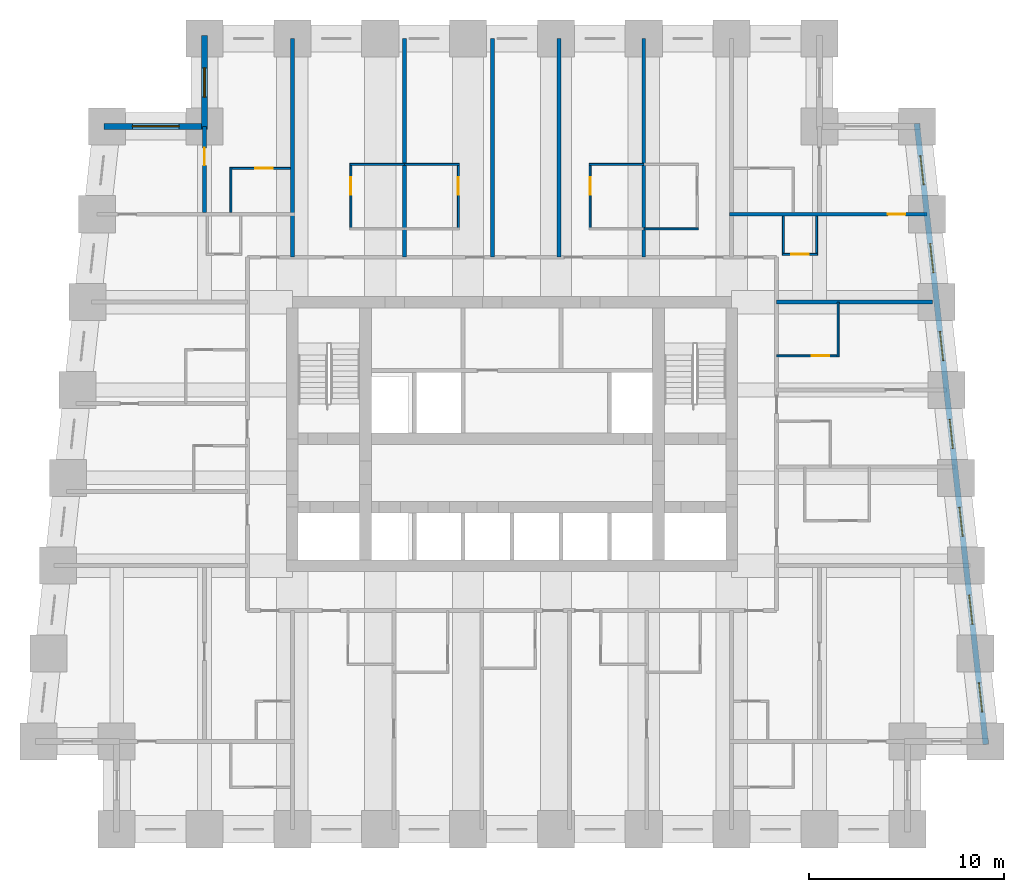
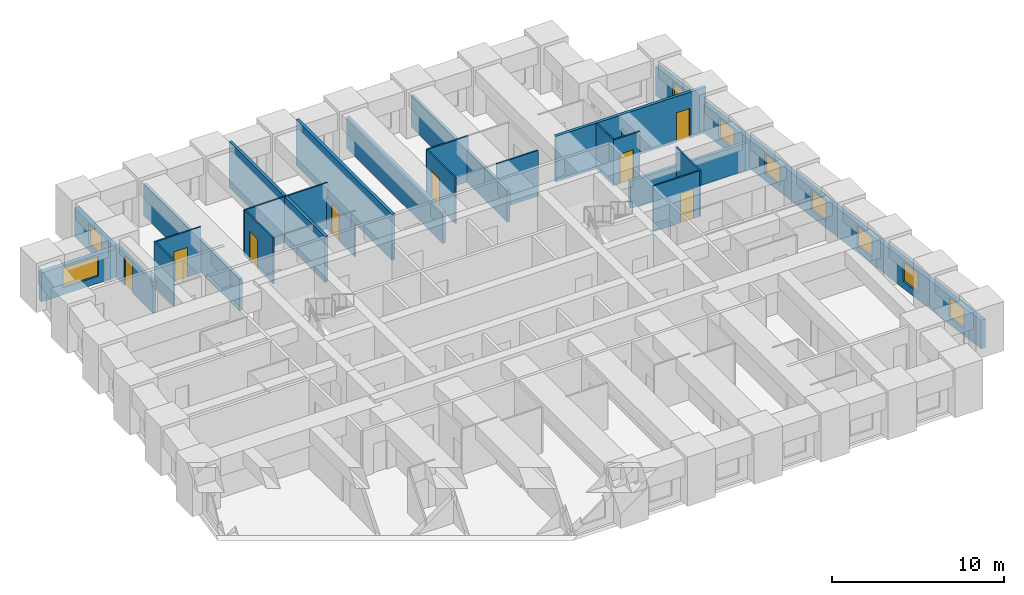
# One storey, part 6 of 8: 25 walls, 9 windows, 8 doors, 17 openings.
"""IFC4 building model written with IfcOpenShell, lengths in metres."""

import ifcopenshell
import ifcopenshell.guid

model = None  # the IFC model being written
_history = None  # IfcOwnerHistory: only IFC2X3 demands one
_inside = {}  # id of a spatial element -> (the spatial element, [elements in it])
_under = {}  # id of a project, library or spatial element -> (it, [spatial elements below it])
_declared = {}  # id of a project -> (the project, [libraries it declares])
_typed = {}  # id of a type object -> (the type object, [elements of that type])
_made_of = {}  # id of a material, layer set ... -> (it, [elements and type objects made of it])


def new_model(schema):
    """Start an empty IFC model of exactly this schema.

    Asked for "IFC4X3", IfcOpenShell would pick the latest addendum, in which some entities
    have other attributes; the version numbers below select the first issue.
    IFC2X3 requires an IfcOwnerHistory on every rooted entity: one is made here for all.
    """
    global model, _history
    if schema == "IFC4X3":
        model = ifcopenshell.file(schema_version=(4, 3, 0, 0))
    else:
        model = ifcopenshell.file(schema=schema)
    _inside.clear()
    _under.clear()
    _declared.clear()
    _typed.clear()
    _made_of.clear()
    _history = None
    if model.schema == "IFC2X3":
        org = make("IfcOrganization", Name="unknown")
        user = make(
            "IfcPersonAndOrganization",
            ThePerson=make("IfcPerson", FamilyName="unknown"),
            TheOrganization=org,
        )
        app = make(
            "IfcApplication",
            ApplicationDeveloper=org,
            Version="unknown",
            ApplicationFullName="unknown",
            ApplicationIdentifier="unknown",
        )
        _history = make(
            "IfcOwnerHistory",
            OwningUser=user,
            OwningApplication=app,
            ChangeAction="ADDED",
            CreationDate=0,
        )
    return model


def make(cls, **values):
    """One entity of the class cls with the attributes given. An attribute that is None is left unset."""
    return model.create_entity(
        cls, **{name: value for name, value in values.items() if value is not None}
    )


def rooted(cls, **values):
    """An entity with a GlobalId (a new one), such as an element, a storey or a relation."""
    return make(cls, GlobalId=ifcopenshell.guid.new(), OwnerHistory=_history, **values)


def si_unit(unit_type, name, prefix=None):
    """IfcSIUnit, for example si_unit("LENGTHUNIT", "METRE", prefix="MILLI")."""
    return make("IfcSIUnit", UnitType=unit_type, Prefix=prefix, Name=name)


def assignment(units):
    """IfcUnitAssignment: the units of a project."""
    return None if units is None else make("IfcUnitAssignment", Units=units)


def point(xyz):
    """IfcCartesianPoint."""
    return None if xyz is None else make("IfcCartesianPoint", Coordinates=xyz)


def direction(xyz):
    """IfcDirection."""
    return None if xyz is None else make("IfcDirection", DirectionRatios=xyz)


def frame(location, z_axis=None, x_axis=None):
    """IfcAxis2Placement3D, a coordinate frame: its origin and axes. An axis left out is left unset."""
    return make(
        "IfcAxis2Placement3D",
        Location=point(location),
        Axis=direction(z_axis),
        RefDirection=direction(x_axis),
    )


def frame_2d(location, x_axis=None):
    """IfcAxis2Placement2D, a coordinate frame in the plane: its origin and x axis."""
    return make(
        "IfcAxis2Placement2D", Location=point(location), RefDirection=direction(x_axis)
    )


def origin():
    """The frame at (0, 0, 0) with its axes left unset."""
    return frame((0.0, 0.0, 0.0))


def place(relative_to, where):
    """IfcLocalPlacement: puts the frame where relative to a parent placement (None: the world)."""
    return make(
        "IfcLocalPlacement", PlacementRelTo=relative_to, RelativePlacement=where
    )


def context(
    kind, dimensions, precision=None, world=None, true_north=None, identifier=None
):
    """IfcGeometricRepresentationContext, for example the 3D "Model" context."""
    return make(
        "IfcGeometricRepresentationContext",
        ContextIdentifier=identifier,
        ContextType=kind,
        CoordinateSpaceDimension=dimensions,
        Precision=precision,
        WorldCoordinateSystem=world,
        TrueNorth=true_north,
    )


def subcontext(parent, identifier, kind, view, scale=None):
    """IfcGeometricRepresentationSubContext, for example "Body" below "Model"."""
    return make(
        "IfcGeometricRepresentationSubContext",
        ContextIdentifier=identifier,
        ContextType=kind,
        ParentContext=parent,
        TargetScale=scale,
        TargetView=view,
    )


def project(units=None, contexts=None):
    """IfcProject with its units and contexts."""
    return rooted(
        "IfcProject",
        Name="project",
        RepresentationContexts=contexts,
        UnitsInContext=assignment(units),
    )


def spatial(cls, under=None, at=None, **own):
    """A site, building, storey or space (cls), placed at a placement, below another one or the project."""
    s = rooted(cls, ObjectPlacement=at, **own)
    if under is not None:
        _under.setdefault(under.id(), (under, []))[1].append(s)
    return s


def profile(cls, at=None, kind="AREA", **sizes):
    """A parametric profile (cls). Its sizes go by their IFC names, for example OverallWidth=200.0."""
    return make(cls, ProfileType=kind, Position=at, **sizes)


def rectangle(**sizes):
    """IfcRectangleProfileDef."""
    return profile("IfcRectangleProfileDef", **sizes)


def extrude(swept, where, along, depth):
    """IfcExtrudedAreaSolid: the profile swept, set in the frame where, extruded along a direction by depth."""
    return make(
        "IfcExtrudedAreaSolid",
        SweptArea=swept,
        Position=where,
        ExtrudedDirection=direction(along),
        Depth=depth,
    )


def shape(context_of_items, identifier, shape_type, items):
    """IfcShapeRepresentation: the items that make up one representation, for example the "Body"."""
    return make(
        "IfcShapeRepresentation",
        ContextOfItems=context_of_items,
        RepresentationIdentifier=identifier,
        RepresentationType=shape_type,
        Items=items,
    )


def material(Name=None, Category=None):
    """IfcMaterial."""
    return make("IfcMaterial", Name=Name, Category=Category)


def layer(
    of_material, thickness, ventilated=None, Name=None, Category=None, Priority=None
):
    """IfcMaterialLayer: one layer of a wall or slab, of a material (None: an air gap)."""
    return make(
        "IfcMaterialLayer",
        Material=of_material,
        LayerThickness=thickness,
        IsVentilated=ventilated,
        Name=Name,
        Category=Category,
        Priority=Priority,
    )


def layer_set(layers, Name=None):
    """IfcMaterialLayerSet."""
    return make("IfcMaterialLayerSet", MaterialLayers=layers, LayerSetName=Name)


def made_of(thing, what):
    """Note that an element or type object is made of a material, layer set ...; save() writes the relation."""
    if what is not None:
        _made_of.setdefault(what.id(), (what, []))[1].append(thing)
    return thing


def type_object(cls, material=None, **own):
    """A type object (cls), such as IfcWallType, which elements share."""
    return made_of(rooted(cls, **own), material)


def element(
    cls,
    number,
    at=None,
    inside=None,
    cuts=None,
    type_object=None,
    material=None,
    context=None,
    identifier="Body",
    shape_type=None,
    held_by="IfcProductDefinitionShape",
    body=None,
    shapes=None,
    **own,
):
    """One element of the class cls, such as IfcWall. Its Tag is "e" and its number.

    at: its placement. inside: the storey or other place that contains it. cuts: it is an
    opening in that element (IfcRelVoidsElement). A single representation is given by context,
    identifier, shape_type and body (its items); several are given by shapes. held_by: the class
    of the entity that holds the representations. save() writes the other relations.
    """
    e = rooted(cls, Tag="e%d" % number, ObjectPlacement=at, **own)
    if body is not None:
        shapes = [shape(context, identifier, shape_type, body)]
    if shapes is not None:
        e.Representation = make(held_by, Representations=shapes)
    if inside is not None:
        _inside.setdefault(inside.id(), (inside, []))[1].append(e)
    if cuts is not None:
        rooted(
            "IfcRelVoidsElement", RelatingBuildingElement=cuts, RelatedOpeningElement=e
        )
    if type_object is not None:
        _typed.setdefault(type_object.id(), (type_object, []))[1].append(e)
    return made_of(e, material)


def fill(opening, filler):
    """IfcRelFillsElement: the door or window that sits in an opening."""
    return rooted(
        "IfcRelFillsElement",
        RelatingOpeningElement=opening,
        RelatedBuildingElement=filler,
    )


def aggregate(whole, parts):
    """IfcRelAggregates: a whole, such as a stair, and the parts it consists of."""
    return rooted("IfcRelAggregates", RelatingObject=whole, RelatedObjects=parts)


def save(model, path):
    """Write the relations noted so far, then the file.

    IfcRelAggregates (storeys below a building ...), IfcRelContainedInSpatialStructure (elements
    in a storey), IfcRelDefinesByType, IfcRelAssociatesMaterial and IfcRelDeclares: one each for
    every whole, place, type object, material and project.
    """
    for whole, parts in _under.values():
        aggregate(whole, parts)
    for where, things in _inside.values():
        rooted(
            "IfcRelContainedInSpatialStructure",
            RelatedElements=things,
            RelatingStructure=where,
        )
    for kind, things in _typed.values():
        rooted("IfcRelDefinesByType", RelatedObjects=things, RelatingType=kind)
    for what, things in _made_of.values():
        rooted("IfcRelAssociatesMaterial", RelatedObjects=things, RelatingMaterial=what)
    for by, libraries in _declared.values():
        rooted("IfcRelDeclares", RelatingContext=by, RelatedDefinitions=libraries)
    model.write(path)


model = new_model("IFC4")

# Units and contexts
model_context = context("Model", 3, precision=1e-05, world=origin(), true_north=direction((0.0, 1.0)))
body_context = subcontext(model_context, "Body", "Model", "MODEL_VIEW")
ifc_project = project(units=[si_unit("LENGTHUNIT", "METRE"), si_unit("AREAUNIT", "SQUARE_METRE"), si_unit("VOLUMEUNIT", "CUBIC_METRE"), si_unit("PLANEANGLEUNIT", "RADIAN"), si_unit("MASSUNIT", "GRAM", prefix="KILO")], contexts=[model_context])

# Site, building, storey
site_placement = place(None, origin())
site = spatial("IfcSite", under=ifc_project, at=site_placement, CompositionType="ELEMENT")
building_placement = place(site_placement, origin())
building = spatial("IfcBuilding", under=site, at=building_placement, Name="Kilele Tower Hotel", CompositionType="ELEMENT")
storey_placement = place(building_placement, frame((0.0, 0.0, 71.699951171875)))
storey = spatial("IfcBuildingStorey", under=building, at=storey_placement, Name="L17", CompositionType="ELEMENT", Elevation=71.699951171875)

# Wall
ifc_material_1 = material(Name="Moisture-resistant board")
ifc_layer_1 = layer(ifc_material_1, 0.10009765625)
ifc_layer_set_1 = layer_set([ifc_layer_1], Name="Moisture-resistant board")
wall_type_1 = type_object("IfcWallType", Name="Bathroom partition 100", PredefinedType="PLUMBINGWALL", material=ifc_layer_set_1)
wall_1_placement = place(storey_placement, frame((41.449951171875, 24.199951171875, 0.0), z_axis=(0.0, 0.0, 1.0), x_axis=(0.0, 1.0, 0.0)))
element("IfcWall", 1, at=wall_1_placement, inside=storey, type_object=wall_type_1, Name="Bathroom partition 100 L17", PredefinedType="PLUMBINGWALL", context=body_context, shape_type="SweptSolid", body=[
    extrude(rectangle(XDim=2.800048828125, YDim=0.10009765625, at=frame_2d((1.39990234375, 0.0))), origin(), (0.0, 0.0, 1.0), 3.25),
])

# Wall, opening, door
wall_2_placement = place(storey_placement, frame((38.300048828125, 24.25, 0.0), z_axis=(0.0, 0.0, 1.0), x_axis=(1.0, 0.0, 0.0)))
wall_2 = element("IfcWall", 2, at=wall_2_placement, inside=storey, type_object=wall_type_1, Name="Bathroom partition 100 L17", PredefinedType="PLUMBINGWALL", context=body_context, shape_type="SweptSolid", body=[
    extrude(rectangle(XDim=3.199951171875, YDim=0.10009765625, at=frame_2d((1.60009765625, 0.0))), origin(), (0.0, 0.0, 1.0), 3.25),
])
opening_1_placement = place(wall_2_placement, frame((2.699951171875, 0.0, 0.0), z_axis=(0.0, 0.0, 1.0), x_axis=(-1.0, 0.0, 0.0)))
opening_1 = element("IfcOpeningElement", 3, at=opening_1_placement, cuts=wall_2, Name="Opening D2A", PredefinedType="OPENING", context=body_context, shape_type="SweptSolid", body=[
    extrude(rectangle(XDim=0.89990234375, YDim=2.10009765625, at=frame_2d((0.449951171875, 1.050048828125))), frame((0.0, 0.06005859375, 0.0), z_axis=(0.0, -1.0, 0.0), x_axis=(1.0, 0.0, 0.0)), (0.0, 0.0, 1.0), 0.1201171875),
])
ifc_material_2 = material(Name="Timber door leaf in hardwood frame", Category="wood")
door_type_1 = type_object("IfcDoorType", Name="Bathroom door 900", OperationType="SINGLE_SWING_LEFT", PredefinedType="DOOR", material=ifc_material_2)
door_1_placement = place(opening_1_placement, origin())
door_1 = element("IfcDoor", 4, at=door_1_placement, inside=storey, type_object=door_type_1, Name="Bathroom door 1708B", OperationType="SINGLE_SWING_LEFT", OverallHeight=2.10009765625, OverallWidth=0.89990234375, PredefinedType="DOOR", context=body_context, shape_type="SweptSolid", body=[
    extrude(rectangle(XDim=0.89990234375, YDim=2.10009765625, at=frame_2d((0.449951171875, 1.050048828125))), frame((0.0, 0.02490234375, 0.0), z_axis=(0.0, -1.0, 0.0), x_axis=(1.0, 0.0, 0.0)), (0.0, 0.0, 1.0), 0.050048828125),
])
fill(opening_1, door_1)

# Wall
wall_3_placement = place(storey_placement, frame((16.449951171875, 34.050048828125, 0.0), z_axis=(0.0, 0.0, 1.0), x_axis=(1.0, 0.0, 0.0)))
element("IfcWall", 5, at=wall_3_placement, inside=storey, type_object=wall_type_1, Name="Bathroom partition 100 L17", PredefinedType="PLUMBINGWALL", context=body_context, shape_type="SweptSolid", body=[
    extrude(rectangle(XDim=2.800048828125, YDim=0.10009765625, at=frame_2d((1.39990234375, 0.0))), origin(), (0.0, 0.0, 1.0), 3.25),
])

# Wall, opening, door
wall_4_placement = place(storey_placement, frame((16.5, 30.699951171875, 0.0), z_axis=(0.0, 0.0, 1.0), x_axis=(0.0, 1.0, 0.0)))
wall_4 = element("IfcWall", 6, at=wall_4_placement, inside=storey, type_object=wall_type_1, Name="Bathroom partition 100 L17", PredefinedType="PLUMBINGWALL", context=body_context, shape_type="SweptSolid", body=[
    extrude(rectangle(XDim=3.400146484375, YDim=0.10009765625, at=frame_2d((1.7001953125, 0.0))), origin(), (0.0, 0.0, 1.0), 3.25),
])
opening_2_placement = place(wall_4_placement, frame((1.800048828125, 0.0, 0.0)))
opening_2 = element("IfcOpeningElement", 7, at=opening_2_placement, cuts=wall_4, Name="Opening D2A", PredefinedType="OPENING", context=body_context, shape_type="SweptSolid", body=[
    extrude(rectangle(XDim=0.89990234375, YDim=2.10009765625, at=frame_2d((0.449951171875, 1.050048828125))), frame((0.0, 0.06005859375, 0.0), z_axis=(0.0, -1.0, 0.0), x_axis=(1.0, 0.0, 0.0)), (0.0, 0.0, 1.0), 0.1201171875),
])
door_2_placement = place(opening_2_placement, origin())
door_2 = element("IfcDoor", 8, at=door_2_placement, inside=storey, type_object=door_type_1, Name="Bathroom door 1709B", OperationType="SINGLE_SWING_RIGHT", OverallHeight=2.10009765625, OverallWidth=0.89990234375, PredefinedType="DOOR", context=body_context, shape_type="SweptSolid", body=[
    extrude(rectangle(XDim=0.89990234375, YDim=2.10009765625, at=frame_2d((0.449951171875, 1.050048828125))), frame((0.0, 0.02490234375, 0.0), z_axis=(0.0, -1.0, 0.0), x_axis=(1.0, 0.0, 0.0)), (0.0, 0.0, 1.0), 0.050048828125),
])
fill(opening_2, door_2)

# Wall
wall_5_placement = place(storey_placement, frame((19.25, 34.050048828125, 0.0), z_axis=(0.0, 0.0, 1.0), x_axis=(1.0, 0.0, 0.0)))
element("IfcWall", 9, at=wall_5_placement, inside=storey, type_object=wall_type_1, Name="Bathroom partition 100 L17", PredefinedType="PLUMBINGWALL", context=body_context, shape_type="SweptSolid", body=[
    extrude(rectangle(XDim=2.800048828125, YDim=0.10009765625, at=frame_2d((1.39990234375, 0.0))), origin(), (0.0, 0.0, 1.0), 3.25),
])

# Wall, opening, door
wall_6_placement = place(storey_placement, frame((22.0, 30.699951171875, 0.0), z_axis=(0.0, 0.0, 1.0), x_axis=(0.0, 1.0, 0.0)))
wall_6 = element("IfcWall", 10, at=wall_6_placement, inside=storey, type_object=wall_type_1, Name="Bathroom partition 100 L17", PredefinedType="PLUMBINGWALL", context=body_context, shape_type="SweptSolid", body=[
    extrude(rectangle(XDim=3.400146484375, YDim=0.10009765625, at=frame_2d((1.7001953125, 0.0))), origin(), (0.0, 0.0, 1.0), 2.25),
])
opening_3_placement = place(wall_6_placement, frame((2.699951171875, 0.0, 0.0), z_axis=(0.0, 0.0, 1.0), x_axis=(-1.0, 0.0, 0.0)))
opening_3 = element("IfcOpeningElement", 11, at=opening_3_placement, cuts=wall_6, Name="Opening D2A", PredefinedType="OPENING", context=body_context, shape_type="SweptSolid", body=[
    extrude(rectangle(XDim=0.89990234375, YDim=2.10009765625, at=frame_2d((0.449951171875, 1.050048828125))), frame((0.0, 0.06005859375, 0.0), z_axis=(0.0, -1.0, 0.0), x_axis=(1.0, 0.0, 0.0)), (0.0, 0.0, 1.0), 0.1201171875),
])
door_3_placement = place(opening_3_placement, origin())
door_3 = element("IfcDoor", 12, at=door_3_placement, inside=storey, type_object=door_type_1, Name="Bathroom door 1710B", OperationType="SINGLE_SWING_LEFT", OverallHeight=2.10009765625, OverallWidth=0.89990234375, PredefinedType="DOOR", context=body_context, shape_type="SweptSolid", body=[
    extrude(rectangle(XDim=0.89990234375, YDim=2.10009765625, at=frame_2d((0.449951171875, 1.050048828125))), frame((0.0, 0.02490234375, 0.0), z_axis=(0.0, -1.0, 0.0), x_axis=(1.0, 0.0, 0.0)), (0.0, 0.0, 1.0), 0.050048828125),
])
fill(opening_3, door_3)

# Wall
wall_7_placement = place(storey_placement, frame((28.699951171875, 34.050048828125, 0.0), z_axis=(0.0, 0.0, 1.0), x_axis=(1.0, 0.0, 0.0)))
element("IfcWall", 13, at=wall_7_placement, inside=storey, type_object=wall_type_1, Name="Bathroom partition 100 L17", PredefinedType="PLUMBINGWALL", context=body_context, shape_type="SweptSolid", body=[
    extrude(rectangle(XDim=2.800048828125, YDim=0.10009765625, at=frame_2d((1.39990234375, 0.0))), origin(), (0.0, 0.0, 1.0), 3.25),
])

# Wall, opening, door
wall_8_placement = place(storey_placement, frame((28.75, 30.699951171875, 0.0), z_axis=(0.0, 0.0, 1.0), x_axis=(0.0, 1.0, 0.0)))
wall_8 = element("IfcWall", 14, at=wall_8_placement, inside=storey, type_object=wall_type_1, Name="Bathroom partition 100 L17", PredefinedType="PLUMBINGWALL", context=body_context, shape_type="SweptSolid", body=[
    extrude(rectangle(XDim=3.400146484375, YDim=0.10009765625, at=frame_2d((1.7001953125, 0.0))), origin(), (0.0, 0.0, 1.0), 3.25),
])
opening_4_placement = place(wall_8_placement, frame((1.800048828125, 0.0, 0.0)))
opening_4 = element("IfcOpeningElement", 15, at=opening_4_placement, cuts=wall_8, Name="Opening D2A", PredefinedType="OPENING", context=body_context, shape_type="SweptSolid", body=[
    extrude(rectangle(XDim=0.89990234375, YDim=2.10009765625, at=frame_2d((0.449951171875, 1.050048828125))), frame((0.0, 0.06005859375, 0.0), z_axis=(0.0, -1.0, 0.0), x_axis=(1.0, 0.0, 0.0)), (0.0, 0.0, 1.0), 0.1201171875),
])
door_4_placement = place(opening_4_placement, origin())
door_4 = element("IfcDoor", 16, at=door_4_placement, inside=storey, type_object=door_type_1, Name="Bathroom door 1712B", OperationType="SINGLE_SWING_RIGHT", OverallHeight=2.10009765625, OverallWidth=0.89990234375, PredefinedType="DOOR", context=body_context, shape_type="SweptSolid", body=[
    extrude(rectangle(XDim=0.89990234375, YDim=2.10009765625, at=frame_2d((0.449951171875, 1.050048828125))), frame((0.0, 0.02490234375, 0.0), z_axis=(0.0, -1.0, 0.0), x_axis=(1.0, 0.0, 0.0)), (0.0, 0.0, 1.0), 0.050048828125),
])
fill(opening_4, door_4)

# Walls
wall_9_placement = place(storey_placement, frame((31.5, 30.75, 0.0), z_axis=(0.0, 0.0, 1.0), x_axis=(1.0, 0.0, 0.0)))
element("IfcWall", 17, at=wall_9_placement, inside=storey, type_object=wall_type_1, Name="Bathroom partition 100 L17", PredefinedType="PLUMBINGWALL", context=body_context, shape_type="SweptSolid", body=[
    extrude(rectangle(XDim=2.800048828125, YDim=0.10009765625, at=frame_2d((1.39990234375, 0.0))), origin(), (0.0, 0.0, 1.0), 3.25),
])
wall_10_placement = place(storey_placement, frame((40.35009765625, 31.39990234375, 0.0), z_axis=(0.0, 0.0, 1.0), x_axis=(0.0, -1.0, 0.0)))
element("IfcWall", 18, at=wall_10_placement, inside=storey, type_object=wall_type_1, Name="Bathroom partition 100 L17", PredefinedType="PLUMBINGWALL", context=body_context, shape_type="SweptSolid", body=[
    extrude(rectangle(XDim=2.0, YDim=0.10009765625, at=frame_2d((1.0, 0.0))), origin(), (0.0, 0.0, 1.0), 2.25),
])
wall_11_placement = place(storey_placement, frame((38.64990234375, 31.39990234375, 0.0), z_axis=(0.0, 0.0, 1.0), x_axis=(0.0, -1.0, 0.0)))
element("IfcWall", 19, at=wall_11_placement, inside=storey, type_object=wall_type_1, Name="Bathroom partition 100 L17", PredefinedType="PLUMBINGWALL", context=body_context, shape_type="SweptSolid", body=[
    extrude(rectangle(XDim=2.0, YDim=0.10009765625, at=frame_2d((1.0, 0.0))), origin(), (0.0, 0.0, 1.0), 3.25),
])

# Wall, opening, door
wall_12_placement = place(storey_placement, frame((38.60009765625, 29.449951171875, 0.0), z_axis=(0.0, 0.0, 1.0), x_axis=(1.0, 0.0, 0.0)))
wall_12 = element("IfcWall", 20, at=wall_12_placement, inside=storey, type_object=wall_type_1, Name="Bathroom partition 100 L17", PredefinedType="PLUMBINGWALL", context=body_context, shape_type="SweptSolid", body=[
    extrude(rectangle(XDim=1.7998046875, YDim=0.10009765625, at=frame_2d((0.89990234375, 0.0))), origin(), (0.0, 0.0, 1.0), 3.25),
])
opening_5_placement = place(wall_12_placement, frame((1.349853515625, 0.0, 0.0), z_axis=(0.0, 0.0, 1.0), x_axis=(-1.0, 0.0, 0.0)))
opening_5 = element("IfcOpeningElement", 21, at=opening_5_placement, cuts=wall_12, Name="Opening D2A", PredefinedType="OPENING", context=body_context, shape_type="SweptSolid", body=[
    extrude(rectangle(XDim=0.89990234375, YDim=2.10009765625, at=frame_2d((0.449951171875, 1.050048828125))), frame((0.0, 0.06005859375, 0.0), z_axis=(0.0, -1.0, 0.0), x_axis=(1.0, 0.0, 0.0)), (0.0, 0.0, 1.0), 0.1201171875),
])
door_5_placement = place(opening_5_placement, origin())
door_5 = element("IfcDoor", 22, at=door_5_placement, inside=storey, type_object=door_type_1, Name="Bathroom door 1723P", OperationType="SINGLE_SWING_RIGHT", OverallHeight=2.10009765625, OverallWidth=0.89990234375, PredefinedType="DOOR", context=body_context, shape_type="SweptSolid", body=[
    extrude(rectangle(XDim=0.89990234375, YDim=2.10009765625, at=frame_2d((0.449951171875, 1.050048828125))), frame((0.0, 0.02490234375, 0.0), z_axis=(0.0, -1.0, 0.0), x_axis=(1.0, 0.0, 0.0)), (0.0, 0.0, 1.0), 0.050048828125),
])
fill(opening_5, door_5)

# Wall
wall_13_placement = place(storey_placement, frame((10.35009765625, 31.60009765625, 0.0), z_axis=(0.0, 0.0, 1.0), x_axis=(0.0, 1.0, 0.0)))
element("IfcWall", 23, at=wall_13_placement, inside=storey, type_object=wall_type_1, Name="Bathroom partition 100 L17", PredefinedType="PLUMBINGWALL", context=body_context, shape_type="SweptSolid", body=[
    extrude(rectangle(XDim=2.2998046875, YDim=0.10009765625, at=frame_2d((1.14990234375, 0.0))), origin(), (0.0, 0.0, 1.0), 3.25),
])

# Wall, opening, door
wall_14_placement = place(storey_placement, frame((13.39990234375, 33.85009765625, 0.0), z_axis=(0.0, 0.0, 1.0), x_axis=(-1.0, 0.0, 0.0)))
wall_14 = element("IfcWall", 24, at=wall_14_placement, inside=storey, type_object=wall_type_1, Name="Bathroom partition 100 L17", PredefinedType="PLUMBINGWALL", context=body_context, shape_type="SweptSolid", body=[
    extrude(rectangle(XDim=3.099853515625, YDim=0.10009765625, at=frame_2d((1.5498046875, 0.0))), origin(), (0.0, 0.0, 1.0), 3.25),
])
opening_6_placement = place(wall_14_placement, frame((1.7998046875, 0.0, 0.0), z_axis=(0.0, 0.0, 1.0), x_axis=(-1.0, 0.0, 0.0)))
opening_6 = element("IfcOpeningElement", 25, at=opening_6_placement, cuts=wall_14, Name="Opening D2A", PredefinedType="OPENING", context=body_context, shape_type="SweptSolid", body=[
    extrude(rectangle(XDim=0.89990234375, YDim=2.10009765625, at=frame_2d((0.449951171875, 1.050048828125))), frame((0.0, 0.06005859375, 0.0), z_axis=(0.0, -1.0, 0.0), x_axis=(1.0, 0.0, 0.0)), (0.0, 0.0, 1.0), 0.1201171875),
])
door_6_placement = place(opening_6_placement, origin())
door_6 = element("IfcDoor", 26, at=door_6_placement, inside=storey, type_object=door_type_1, Name="Bathroom door 1727B", OperationType="SINGLE_SWING_RIGHT", OverallHeight=2.10009765625, OverallWidth=0.89990234375, PredefinedType="DOOR", context=body_context, shape_type="SweptSolid", body=[
    extrude(rectangle(XDim=0.89990234375, YDim=2.10009765625, at=frame_2d((0.449951171875, 1.050048828125))), frame((0.0, 0.02490234375, 0.0), z_axis=(0.0, -1.0, 0.0), x_axis=(1.0, 0.0, 0.0)), (0.0, 0.0, 1.0), 0.050048828125),
])
fill(opening_6, door_6)

ifc_material_3 = material(Name="Blockwork, plastered both sides", Category="masonry")
ifc_layer_2 = layer(ifc_material_3, 0.199951171875)
ifc_layer_set_2 = layer_set([ifc_layer_2], Name="Blockwork, plastered both sides")
wall_type_2 = type_object("IfcWallType", Name="Partition wall 200", PredefinedType="PARTITIONING", material=ifc_layer_set_2)
wall_15_placement = place(storey_placement, frame((9.0, 31.60009765625, 0.0), z_axis=(0.0, 0.0, 1.0), x_axis=(0.0, 1.0, 0.0)))
wall_15 = element("IfcWall", 27, at=wall_15_placement, inside=storey, type_object=wall_type_2, Name="Partition wall 200 L17", PredefinedType="PARTITIONING", context=body_context, shape_type="SweptSolid", body=[
    extrude(rectangle(XDim=4.39990234375, YDim=0.199951171875, at=frame_2d((2.199951171875, 0.0))), origin(), (0.0, 0.0, 1.0), 2.25),
])
opening_7_placement = place(wall_15_placement, frame((2.39990234375, 0.0, 0.0)))
opening_7 = element("IfcOpeningElement", 28, at=opening_7_placement, cuts=wall_15, Name="Opening D3", PredefinedType="OPENING", context=body_context, shape_type="SweptSolid", body=[
    extrude(rectangle(XDim=0.89990234375, YDim=2.10009765625, at=frame_2d((0.449951171875, 1.050048828125))), frame((0.0, 0.10986328125, 0.0), z_axis=(0.0, -1.0, 0.0), x_axis=(1.0, 0.0, 0.0)), (0.0, 0.0, 1.0), 0.219970703125),
])
ifc_material_4 = material(Name="Timber door leaf in hardwood frame", Category="wood")
door_type_2 = type_object("IfcDoorType", Name="Suite internal door 900", OperationType="SINGLE_SWING_LEFT", PredefinedType="DOOR", material=ifc_material_4)
door_7_placement = place(opening_7_placement, origin())
door_7 = element("IfcDoor", 29, at=door_7_placement, inside=storey, type_object=door_type_2, Name="Suite door 1728", OperationType="SINGLE_SWING_RIGHT", OverallHeight=2.10009765625, OverallWidth=0.89990234375, PredefinedType="DOOR", context=body_context, shape_type="SweptSolid", body=[
    extrude(rectangle(XDim=0.89990234375, YDim=2.10009765625, at=frame_2d((0.449951171875, 1.050048828125))), frame((0.0, 0.02490234375, 0.0), z_axis=(0.0, -1.0, 0.0), x_axis=(1.0, 0.0, 0.0)), (0.0, 0.0, 1.0), 0.050048828125),
])
fill(opening_7, door_7)

# Walls
ifc_material_5 = material(Name="Blockwork, plastered both sides", Category="masonry")
ifc_layer_3 = layer(ifc_material_5, 0.199951171875)
ifc_layer_set_3 = layer_set([ifc_layer_3], Name="Blockwork, plastered both sides")
wall_type_3 = type_object("IfcWallType", Name="Party wall 200", PredefinedType="PARTITIONING", material=ifc_layer_set_3)
for number, where, z_axis, x_axis, name in (
    (30, (19.25, 29.300048828125, 0.0), (0.0, 0.0, 1.0), (0.0, 1.0, 0.0), "Party wall 200 L17"),
    (31, (23.75, 29.300048828125, 0.0), (0.0, 0.0, 1.0), (0.0, 1.0, 0.0), "Party wall 200 L17"),
):
    element("IfcWall", number, at=place(storey_placement, frame(where, z_axis=z_axis, x_axis=x_axis)), inside=storey, type_object=wall_type_3, Name=name, PredefinedType="PARTITIONING", context=body_context, shape_type="SweptSolid", body=[
        extrude(rectangle(XDim=11.199951171875, YDim=0.199951171875, at=frame_2d((5.60009765625, 0.0))), origin(), (0.0, 0.0, 1.0), 3.25),
    ])
for number, where, z_axis, x_axis, name in (
    (32, (27.14990234375, 29.300048828125, 0.0), (0.0, 0.0, 1.0), (0.0, 1.0, 0.0), "Party wall 200 L17"),
    (33, (31.5, 29.300048828125, 0.0), (0.0, 0.0, 1.0), (0.0, 1.0, 0.0), "Party wall 200 L17"),
):
    element("IfcWall", number, at=place(storey_placement, frame(where, z_axis=z_axis, x_axis=x_axis)), inside=storey, type_object=wall_type_3, Name=name, PredefinedType="PARTITIONING", context=body_context, shape_type="SweptSolid", body=[
        extrude(rectangle(XDim=11.199951171875, YDim=0.199951171875, at=frame_2d((5.60009765625, 0.0))), origin(), (0.0, 0.0, 1.0), 2.25),
    ])
wall_16_placement = place(storey_placement, frame((38.300048828125, 27.0, 0.0), z_axis=(0.0, 0.0, 1.0), x_axis=(1.0, 0.0, 0.0)))
element("IfcWall", 34, at=wall_16_placement, inside=storey, type_object=wall_type_3, Name="Party wall 200 L17", PredefinedType="PARTITIONING", context=body_context, shape_type="SweptSolid", body=[
    extrude(rectangle(XDim=7.976806640625, YDim=0.199951171875, at=frame_2d((3.98828125, 0.0))), origin(), (0.0, 0.0, 1.0), 1.949951171875),
])

# Wall, opening, door
wall_17_placement = place(storey_placement, frame((35.89990234375, 31.5, 0.0), z_axis=(0.0, 0.0, 1.0), x_axis=(1.0, 0.0, 0.0)))
wall_17 = element("IfcWall", 35, at=wall_17_placement, inside=storey, type_object=wall_type_3, Name="Party wall 200 L17", PredefinedType="PARTITIONING", context=body_context, shape_type="SweptSolid", body=[
    extrude(rectangle(XDim=10.09912109375, YDim=0.199951171875, at=frame_2d((5.049560546875, 0.0))), origin(), (0.0, 0.0, 1.0), 3.25),
])
opening_8_placement = place(wall_17_placement, frame((8.09912109375, 0.0, 0.0)))
opening_8 = element("IfcOpeningElement", 36, at=opening_8_placement, cuts=wall_17, Name="Opening D3", PredefinedType="OPENING", context=body_context, shape_type="SweptSolid", body=[
    extrude(rectangle(XDim=0.89990234375, YDim=2.10009765625, at=frame_2d((0.449951171875, 1.050048828125))), frame((0.0, 0.10986328125, 0.0), z_axis=(0.0, -1.0, 0.0), x_axis=(1.0, 0.0, 0.0)), (0.0, 0.0, 1.0), 0.219970703125),
])
door_8_placement = place(opening_8_placement, origin())
door_8 = element("IfcDoor", 37, at=door_8_placement, inside=storey, type_object=door_type_2, Name="Suite door 1724", OperationType="SINGLE_SWING_RIGHT", OverallHeight=2.10009765625, OverallWidth=0.89990234375, PredefinedType="DOOR", context=body_context, shape_type="SweptSolid", body=[
    extrude(rectangle(XDim=0.89990234375, YDim=2.10009765625, at=frame_2d((0.449951171875, 1.050048828125))), frame((0.0, 0.02490234375, 0.0), z_axis=(0.0, -1.0, 0.0), x_axis=(1.0, 0.0, 0.0)), (0.0, 0.0, 1.0), 0.050048828125),
])
fill(opening_8, door_8)

# Wall
wall_18_placement = place(storey_placement, frame((13.5, 29.300048828125, 0.0), z_axis=(0.0, 0.0, 1.0), x_axis=(0.0, 1.0, 0.0)))
element("IfcWall", 38, at=wall_18_placement, inside=storey, type_object=wall_type_3, Name="Party wall 200 L17", PredefinedType="PARTITIONING", context=body_context, shape_type="SweptSolid", body=[
    extrude(rectangle(XDim=11.199951171875, YDim=0.199951171875, at=frame_2d((5.60009765625, 0.0))), origin(), (0.0, 0.0, 1.0), 2.25),
])

# Wall, openings, windows
ifc_material_6 = material(Name="Concrete C40/50 precast", Category="concrete")
ifc_layer_4 = layer(ifc_material_6, 0.260009765625, Name="Precast backing", Category="LoadBearing")
ifc_material_7 = material(Name="Reconstituted stone finish", Category="masonry")
ifc_layer_5 = layer(ifc_material_7, 0.0400390625, Name="Face mix", Category="Finish")
ifc_layer_set_4 = layer_set([ifc_layer_4, ifc_layer_5], Name="Precast concrete C40/50, reconstituted stone finish")
wall_type_4 = type_object("IfcWallType", Name="Precast stone facade wall 300", PredefinedType="STANDARD", material=ifc_layer_set_4)
wall_19_placement = place(storey_placement, frame((49.0166015625, 4.350830078125, 0.0), z_axis=(0.0, 0.0, 1.0), x_axis=(-0.110433201132, 0.993883548555, 0.0)))
wall_19 = element("IfcWall", 39, at=wall_19_placement, inside=storey, type_object=wall_type_4, Name="Facade wall L17 edge 6", PredefinedType="STANDARD", context=body_context, shape_type="SweptSolid", body=[
    extrude(rectangle(XDim=31.994140625, YDim=0.300048828125, at=frame_2d((15.9970703125, 0.0))), origin(), (0.0, 0.0, 1.0), 2.050048828125),
])
opening_9_placement = place(wall_19_placement, frame((1.6640625, 0.0, 0.5)))
opening_9 = element("IfcOpeningElement", 40, at=opening_9_placement, cuts=wall_19, Name="Opening W1", PredefinedType="OPENING", context=body_context, shape_type="SweptSolid", body=[
    extrude(rectangle(XDim=1.5, YDim=1.39990234375, at=frame_2d((0.75, 0.699951171875))), frame((0.0, 0.159912109375, 0.0), z_axis=(0.0, -1.0, 0.0), x_axis=(1.0, 0.0, 0.0)), (0.0, 0.0, 1.0), 0.320068359375),
])
opening_10_placement = place(wall_19_placement, frame((6.19189453125, 0.0, 0.5)))
opening_10 = element("IfcOpeningElement", 41, at=opening_10_placement, cuts=wall_19, Name="Opening W1", PredefinedType="OPENING", context=body_context, shape_type="SweptSolid", body=[
    extrude(rectangle(XDim=1.5, YDim=1.39990234375, at=frame_2d((0.75, 0.699951171875))), frame((0.0, 0.159912109375, 0.0), z_axis=(0.0, -1.0, 0.0), x_axis=(1.0, 0.0, 0.0)), (0.0, 0.0, 1.0), 0.320068359375),
])
opening_11_placement = place(wall_19_placement, frame((10.718994140625, 0.0, 0.5)))
opening_11 = element("IfcOpeningElement", 42, at=opening_11_placement, cuts=wall_19, Name="Opening W1", PredefinedType="OPENING", context=body_context, shape_type="SweptSolid", body=[
    extrude(rectangle(XDim=1.5, YDim=1.39990234375, at=frame_2d((0.75, 0.699951171875))), frame((0.0, 0.159912109375, 0.0), z_axis=(0.0, -1.0, 0.0), x_axis=(1.0, 0.0, 0.0)), (0.0, 0.0, 1.0), 0.320068359375),
])
opening_12_placement = place(wall_19_placement, frame((15.2470703125, 0.0, 0.5)))
opening_12 = element("IfcOpeningElement", 43, at=opening_12_placement, cuts=wall_19, Name="Opening W1", PredefinedType="OPENING", context=body_context, shape_type="SweptSolid", body=[
    extrude(rectangle(XDim=1.5, YDim=1.39990234375, at=frame_2d((0.75, 0.699951171875))), frame((0.0, 0.159912109375, 0.0), z_axis=(0.0, -1.0, 0.0), x_axis=(1.0, 0.0, 0.0)), (0.0, 0.0, 1.0), 0.320068359375),
])
opening_13_placement = place(wall_19_placement, frame((19.77490234375, 0.0, 0.5)))
opening_13 = element("IfcOpeningElement", 44, at=opening_13_placement, cuts=wall_19, Name="Opening W1", PredefinedType="OPENING", context=body_context, shape_type="SweptSolid", body=[
    extrude(rectangle(XDim=1.5, YDim=1.39990234375, at=frame_2d((0.75, 0.699951171875))), frame((0.0, 0.159912109375, 0.0), z_axis=(0.0, -1.0, 0.0), x_axis=(1.0, 0.0, 0.0)), (0.0, 0.0, 1.0), 0.320068359375),
])
opening_14_placement = place(wall_19_placement, frame((24.302001953125, 0.0, 0.5)))
opening_14 = element("IfcOpeningElement", 45, at=opening_14_placement, cuts=wall_19, Name="Opening W1", PredefinedType="OPENING", context=body_context, shape_type="SweptSolid", body=[
    extrude(rectangle(XDim=1.5, YDim=1.39990234375, at=frame_2d((0.75, 0.699951171875))), frame((0.0, 0.159912109375, 0.0), z_axis=(0.0, -1.0, 0.0), x_axis=(1.0, 0.0, 0.0)), (0.0, 0.0, 1.0), 0.320068359375),
])
opening_15_placement = place(wall_19_placement, frame((28.830078125, 0.0, 0.5)))
opening_15 = element("IfcOpeningElement", 46, at=opening_15_placement, cuts=wall_19, Name="Opening W1", PredefinedType="OPENING", context=body_context, shape_type="SweptSolid", body=[
    extrude(rectangle(XDim=1.5, YDim=1.39990234375, at=frame_2d((0.75, 0.699951171875))), frame((0.0, 0.159912109375, 0.0), z_axis=(0.0, -1.0, 0.0), x_axis=(1.0, 0.0, 0.0)), (0.0, 0.0, 1.0), 0.320068359375),
])
ifc_material_8 = material(Name="Aluminium frame, clear double glazing", Category="aluminium")
window_type_1 = type_object("IfcWindowType", Name="Window W1 1500 x 1400", PartitioningType="SINGLE_PANEL", PredefinedType="WINDOW", material=ifc_material_8)
window_1_placement = place(opening_9_placement, origin())
window_1 = element("IfcWindow", 47, at=window_1_placement, inside=storey, type_object=window_type_1, Name="Window L17", OverallHeight=1.39990234375, OverallWidth=1.5, PartitioningType="SINGLE_PANEL", PredefinedType="WINDOW", context=body_context, shape_type="SweptSolid", body=[
    extrude(rectangle(XDim=1.5, YDim=1.39990234375, at=frame_2d((0.75, 0.699951171875))), frame((0.0, 0.030029296875, 0.0), z_axis=(0.0, -1.0, 0.0), x_axis=(1.0, 0.0, 0.0)), (0.0, 0.0, 1.0), 0.06005859375),
])
fill(opening_9, window_1)
window_2_placement = place(opening_10_placement, origin())
window_2 = element("IfcWindow", 48, at=window_2_placement, inside=storey, type_object=window_type_1, Name="Window L17", OverallHeight=1.39990234375, OverallWidth=1.5, PartitioningType="SINGLE_PANEL", PredefinedType="WINDOW", context=body_context, shape_type="SweptSolid", body=[
    extrude(rectangle(XDim=1.5, YDim=1.39990234375, at=frame_2d((0.75, 0.699951171875))), frame((0.0, 0.030029296875, 0.0), z_axis=(0.0, -1.0, 0.0), x_axis=(1.0, 0.0, 0.0)), (0.0, 0.0, 1.0), 0.06005859375),
])
fill(opening_10, window_2)
window_3_placement = place(opening_11_placement, origin())
window_3 = element("IfcWindow", 49, at=window_3_placement, inside=storey, type_object=window_type_1, Name="Window L17", OverallHeight=1.39990234375, OverallWidth=1.5, PartitioningType="SINGLE_PANEL", PredefinedType="WINDOW", context=body_context, shape_type="SweptSolid", body=[
    extrude(rectangle(XDim=1.5, YDim=1.39990234375, at=frame_2d((0.75, 0.699951171875))), frame((0.0, 0.030029296875, 0.0), z_axis=(0.0, -1.0, 0.0), x_axis=(1.0, 0.0, 0.0)), (0.0, 0.0, 1.0), 0.06005859375),
])
fill(opening_11, window_3)
window_4_placement = place(opening_12_placement, origin())
window_4 = element("IfcWindow", 50, at=window_4_placement, inside=storey, type_object=window_type_1, Name="Window L17", OverallHeight=1.39990234375, OverallWidth=1.5, PartitioningType="SINGLE_PANEL", PredefinedType="WINDOW", context=body_context, shape_type="SweptSolid", body=[
    extrude(rectangle(XDim=1.5, YDim=1.39990234375, at=frame_2d((0.75, 0.699951171875))), frame((0.0, 0.030029296875, 0.0), z_axis=(0.0, -1.0, 0.0), x_axis=(1.0, 0.0, 0.0)), (0.0, 0.0, 1.0), 0.06005859375),
])
fill(opening_12, window_4)
window_5_placement = place(opening_13_placement, origin())
window_5 = element("IfcWindow", 51, at=window_5_placement, inside=storey, type_object=window_type_1, Name="Window L17", OverallHeight=1.39990234375, OverallWidth=1.5, PartitioningType="SINGLE_PANEL", PredefinedType="WINDOW", context=body_context, shape_type="SweptSolid", body=[
    extrude(rectangle(XDim=1.5, YDim=1.39990234375, at=frame_2d((0.75, 0.699951171875))), frame((0.0, 0.030029296875, 0.0), z_axis=(0.0, -1.0, 0.0), x_axis=(1.0, 0.0, 0.0)), (0.0, 0.0, 1.0), 0.06005859375),
])
fill(opening_13, window_5)
window_6_placement = place(opening_14_placement, origin())
window_6 = element("IfcWindow", 52, at=window_6_placement, inside=storey, type_object=window_type_1, Name="Window L17", OverallHeight=1.39990234375, OverallWidth=1.5, PartitioningType="SINGLE_PANEL", PredefinedType="WINDOW", context=body_context, shape_type="SweptSolid", body=[
    extrude(rectangle(XDim=1.5, YDim=1.39990234375, at=frame_2d((0.75, 0.699951171875))), frame((0.0, 0.030029296875, 0.0), z_axis=(0.0, -1.0, 0.0), x_axis=(1.0, 0.0, 0.0)), (0.0, 0.0, 1.0), 0.06005859375),
])
fill(opening_14, window_6)
window_7_placement = place(opening_15_placement, origin())
window_7 = element("IfcWindow", 53, at=window_7_placement, inside=storey, type_object=window_type_1, Name="Window L17", OverallHeight=1.39990234375, OverallWidth=1.5, PartitioningType="SINGLE_PANEL", PredefinedType="WINDOW", context=body_context, shape_type="SweptSolid", body=[
    extrude(rectangle(XDim=1.5, YDim=1.39990234375, at=frame_2d((0.75, 0.699951171875))), frame((0.0, 0.030029296875, 0.0), z_axis=(0.0, -1.0, 0.0), x_axis=(1.0, 0.0, 0.0)), (0.0, 0.0, 1.0), 0.06005859375),
])
fill(opening_15, window_7)

# Wall, opening, window
wall_20_placement = place(storey_placement, frame((9.0, 40.64990234375, 0.0), z_axis=(0.0, 0.0, 1.0), x_axis=(0.0, -1.0, 0.0)))
wall_20 = element("IfcWall", 54, at=wall_20_placement, inside=storey, type_object=wall_type_4, Name="Facade wall L17 edge 10", PredefinedType="STANDARD", context=body_context, shape_type="SweptSolid", body=[
    extrude(rectangle(XDim=4.7998046875, YDim=0.300048828125, at=frame_2d((2.39990234375, 0.0))), origin(), (0.0, 0.0, 1.0), 2.050048828125),
])
opening_16_placement = place(wall_20_placement, frame((1.64990234375, 0.0, 0.5)))
opening_16 = element("IfcOpeningElement", 55, at=opening_16_placement, cuts=wall_20, Name="Opening W1", PredefinedType="OPENING", context=body_context, shape_type="SweptSolid", body=[
    extrude(rectangle(XDim=1.5, YDim=1.39990234375, at=frame_2d((0.75, 0.699951171875))), frame((0.0, 0.159912109375, 0.0), z_axis=(0.0, -1.0, 0.0), x_axis=(1.0, 0.0, 0.0)), (0.0, 0.0, 1.0), 0.320068359375),
])
window_8_placement = place(opening_16_placement, origin())
window_8 = element("IfcWindow", 56, at=window_8_placement, inside=storey, type_object=window_type_1, Name="Window L17", OverallHeight=1.39990234375, OverallWidth=1.5, PartitioningType="SINGLE_PANEL", PredefinedType="WINDOW", context=body_context, shape_type="SweptSolid", body=[
    extrude(rectangle(XDim=1.5, YDim=1.39990234375, at=frame_2d((0.75, 0.699951171875))), frame((0.0, 0.030029296875, 0.0), z_axis=(0.0, -1.0, 0.0), x_axis=(1.0, 0.0, 0.0)), (0.0, 0.0, 1.0), 0.06005859375),
])
fill(opening_16, window_8)

wall_21_placement = place(storey_placement, frame((9.14990234375, 36.0, 0.0), z_axis=(0.0, 0.0, 1.0), x_axis=(-1.0, 0.0, 0.0)))
wall_21 = element("IfcWall", 57, at=wall_21_placement, inside=storey, type_object=wall_type_4, Name="Facade wall L17 edge 11", PredefinedType="STANDARD", context=body_context, shape_type="SweptSolid", body=[
    extrude(rectangle(XDim=5.2998046875, YDim=0.300048828125, at=frame_2d((2.64990234375, 0.0))), origin(), (0.0, 0.0, 1.0), 2.050048828125),
])
opening_17_placement = place(wall_21_placement, frame((1.449951171875, 0.0, 0.5)))
opening_17 = element("IfcOpeningElement", 58, at=opening_17_placement, cuts=wall_21, Name="Opening W1", PredefinedType="OPENING", context=body_context, shape_type="SweptSolid", body=[
    extrude(rectangle(XDim=2.39990234375, YDim=1.39990234375, at=frame_2d((1.199951171875, 0.699951171875))), frame((0.0, 0.159912109375, 0.0), z_axis=(0.0, -1.0, 0.0), x_axis=(1.0, 0.0, 0.0)), (0.0, 0.0, 1.0), 0.320068359375),
])
ifc_material_9 = material(Name="Aluminium frame, clear double glazing", Category="aluminium")
window_type_2 = type_object("IfcWindowType", Name="Window W1 2400 x 1400", PartitioningType="SINGLE_PANEL", PredefinedType="WINDOW", material=ifc_material_9)
window_9_placement = place(opening_17_placement, origin())
window_9 = element("IfcWindow", 59, at=window_9_placement, inside=storey, type_object=window_type_2, Name="Window L17", OverallHeight=1.39990234375, OverallWidth=2.39990234375, PartitioningType="SINGLE_PANEL", PredefinedType="WINDOW", context=body_context, shape_type="SweptSolid", body=[
    extrude(rectangle(XDim=2.39990234375, YDim=1.39990234375, at=frame_2d((1.199951171875, 0.699951171875))), frame((0.0, 0.030029296875, 0.0), z_axis=(0.0, -1.0, 0.0), x_axis=(1.0, 0.0, 0.0)), (0.0, 0.0, 1.0), 0.06005859375),
])
fill(opening_17, window_9)

save(model, "model.ifc")
